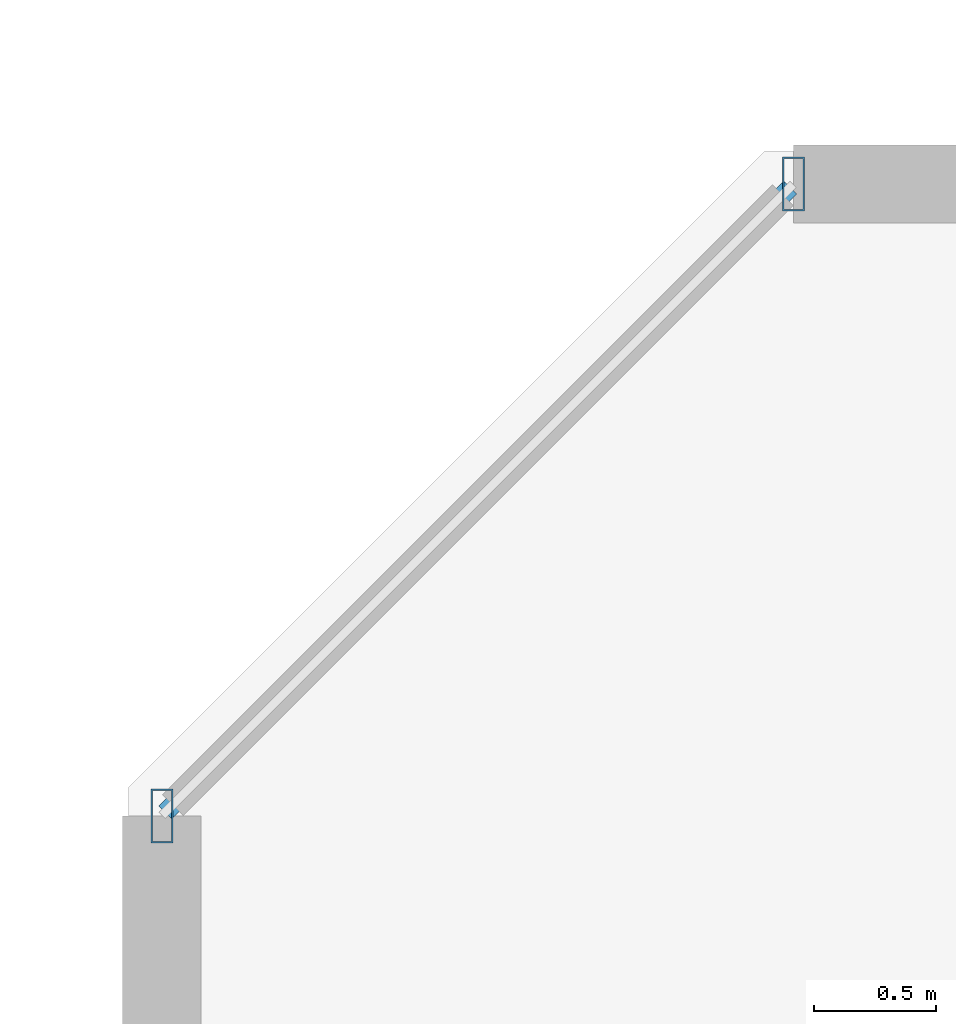
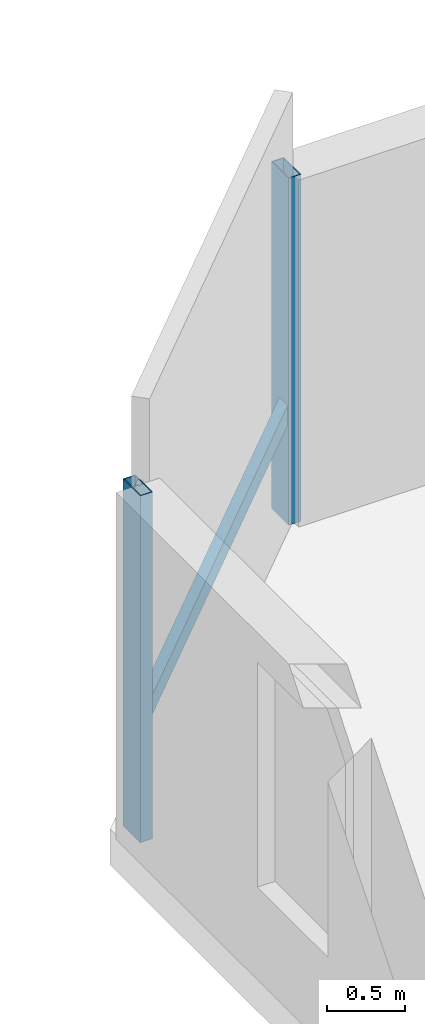
# One storey, part 15 of 33: 3 members, 1 element without a shape of its own.
"""IFC4 building model written with IfcOpenShell, lengths in metres."""

import ifcopenshell
import ifcopenshell.guid

model = None  # the IFC model being written
_history = None  # IfcOwnerHistory: only IFC2X3 demands one
_inside = {}  # id of a spatial element -> (the spatial element, [elements in it])
_under = {}  # id of a project, library or spatial element -> (it, [spatial elements below it])
_declared = {}  # id of a project -> (the project, [libraries it declares])
_typed = {}  # id of a type object -> (the type object, [elements of that type])
_made_of = {}  # id of a material, layer set ... -> (it, [elements and type objects made of it])


def new_model(schema):
    """Start an empty IFC model of exactly this schema.

    Asked for "IFC4X3", IfcOpenShell would pick the latest addendum, in which some entities
    have other attributes; the version numbers below select the first issue.
    IFC2X3 requires an IfcOwnerHistory on every rooted entity: one is made here for all.
    """
    global model, _history
    if schema == "IFC4X3":
        model = ifcopenshell.file(schema_version=(4, 3, 0, 0))
    else:
        model = ifcopenshell.file(schema=schema)
    _inside.clear()
    _under.clear()
    _declared.clear()
    _typed.clear()
    _made_of.clear()
    _history = None
    if model.schema == "IFC2X3":
        org = make("IfcOrganization", Name="unknown")
        user = make(
            "IfcPersonAndOrganization",
            ThePerson=make("IfcPerson", FamilyName="unknown"),
            TheOrganization=org,
        )
        app = make(
            "IfcApplication",
            ApplicationDeveloper=org,
            Version="unknown",
            ApplicationFullName="unknown",
            ApplicationIdentifier="unknown",
        )
        _history = make(
            "IfcOwnerHistory",
            OwningUser=user,
            OwningApplication=app,
            ChangeAction="ADDED",
            CreationDate=0,
        )
    return model


def make(cls, **values):
    """One entity of the class cls with the attributes given. An attribute that is None is left unset."""
    return model.create_entity(
        cls, **{name: value for name, value in values.items() if value is not None}
    )


def rooted(cls, **values):
    """An entity with a GlobalId (a new one), such as an element, a storey or a relation."""
    return make(cls, GlobalId=ifcopenshell.guid.new(), OwnerHistory=_history, **values)


def si_unit(unit_type, name, prefix=None):
    """IfcSIUnit, for example si_unit("LENGTHUNIT", "METRE", prefix="MILLI")."""
    return make("IfcSIUnit", UnitType=unit_type, Prefix=prefix, Name=name)


def assignment(units):
    """IfcUnitAssignment: the units of a project."""
    return None if units is None else make("IfcUnitAssignment", Units=units)


def point(xyz):
    """IfcCartesianPoint."""
    return None if xyz is None else make("IfcCartesianPoint", Coordinates=xyz)


def direction(xyz):
    """IfcDirection."""
    return None if xyz is None else make("IfcDirection", DirectionRatios=xyz)


def frame(location, z_axis=None, x_axis=None):
    """IfcAxis2Placement3D, a coordinate frame: its origin and axes. An axis left out is left unset."""
    return make(
        "IfcAxis2Placement3D",
        Location=point(location),
        Axis=direction(z_axis),
        RefDirection=direction(x_axis),
    )


def frame_2d(location, x_axis=None):
    """IfcAxis2Placement2D, a coordinate frame in the plane: its origin and x axis."""
    return make(
        "IfcAxis2Placement2D", Location=point(location), RefDirection=direction(x_axis)
    )


def origin():
    """The frame at (0, 0, 0) with its axes left unset."""
    return frame((0.0, 0.0, 0.0))


def origin_2d():
    """The frame at (0, 0) in the plane with its x axis left unset."""
    return frame_2d((0.0, 0.0))


def place(relative_to, where):
    """IfcLocalPlacement: puts the frame where relative to a parent placement (None: the world)."""
    return make(
        "IfcLocalPlacement", PlacementRelTo=relative_to, RelativePlacement=where
    )


def context(
    kind, dimensions, precision=None, world=None, true_north=None, identifier=None
):
    """IfcGeometricRepresentationContext, for example the 3D "Model" context."""
    return make(
        "IfcGeometricRepresentationContext",
        ContextIdentifier=identifier,
        ContextType=kind,
        CoordinateSpaceDimension=dimensions,
        Precision=precision,
        WorldCoordinateSystem=world,
        TrueNorth=true_north,
    )


def subcontext(parent, identifier, kind, view, scale=None):
    """IfcGeometricRepresentationSubContext, for example "Body" below "Model"."""
    return make(
        "IfcGeometricRepresentationSubContext",
        ContextIdentifier=identifier,
        ContextType=kind,
        ParentContext=parent,
        TargetScale=scale,
        TargetView=view,
    )


def project(units=None, contexts=None):
    """IfcProject with its units and contexts."""
    return rooted(
        "IfcProject",
        Name="project",
        RepresentationContexts=contexts,
        UnitsInContext=assignment(units),
    )


def spatial(cls, under=None, at=None, **own):
    """A site, building, storey or space (cls), placed at a placement, below another one or the project."""
    s = rooted(cls, ObjectPlacement=at, **own)
    if under is not None:
        _under.setdefault(under.id(), (under, []))[1].append(s)
    return s


def profile(cls, at=None, kind="AREA", **sizes):
    """A parametric profile (cls). Its sizes go by their IFC names, for example OverallWidth=200.0."""
    return make(cls, ProfileType=kind, Position=at, **sizes)


def hollow_rectangle(**sizes):
    """IfcRectangleHollowProfileDef."""
    return profile("IfcRectangleHollowProfileDef", **sizes)


def extrude(swept, where, along, depth):
    """IfcExtrudedAreaSolid: the profile swept, set in the frame where, extruded along a direction by depth."""
    return make(
        "IfcExtrudedAreaSolid",
        SweptArea=swept,
        Position=where,
        ExtrudedDirection=direction(along),
        Depth=depth,
    )


def shape(context_of_items, identifier, shape_type, items):
    """IfcShapeRepresentation: the items that make up one representation, for example the "Body"."""
    return make(
        "IfcShapeRepresentation",
        ContextOfItems=context_of_items,
        RepresentationIdentifier=identifier,
        RepresentationType=shape_type,
        Items=items,
    )


def material(Name=None, Category=None):
    """IfcMaterial."""
    return make("IfcMaterial", Name=Name, Category=Category)


def material_profile(
    of_material, cross_section, Name=None, Category=None, Priority=None
):
    """IfcMaterialProfile: a cross section and its material."""
    return make(
        "IfcMaterialProfile",
        Name=Name,
        Material=of_material,
        Profile=cross_section,
        Priority=Priority,
        Category=Category,
    )


def profile_set(profiles, Name=None, composite=None):
    """IfcMaterialProfileSet."""
    return make(
        "IfcMaterialProfileSet",
        Name=Name,
        MaterialProfiles=profiles,
        CompositeProfile=composite,
    )


def made_of(thing, what):
    """Note that an element or type object is made of a material, layer set ...; save() writes the relation."""
    if what is not None:
        _made_of.setdefault(what.id(), (what, []))[1].append(thing)
    return thing


def type_object(cls, material=None, **own):
    """A type object (cls), such as IfcWallType, which elements share."""
    return made_of(rooted(cls, **own), material)


def element(
    cls,
    number,
    at=None,
    inside=None,
    cuts=None,
    type_object=None,
    material=None,
    context=None,
    identifier="Body",
    shape_type=None,
    held_by="IfcProductDefinitionShape",
    body=None,
    shapes=None,
    **own,
):
    """One element of the class cls, such as IfcWall. Its Tag is "e" and its number.

    at: its placement. inside: the storey or other place that contains it. cuts: it is an
    opening in that element (IfcRelVoidsElement). A single representation is given by context,
    identifier, shape_type and body (its items); several are given by shapes. held_by: the class
    of the entity that holds the representations. save() writes the other relations.
    """
    e = rooted(cls, Tag="e%d" % number, ObjectPlacement=at, **own)
    if body is not None:
        shapes = [shape(context, identifier, shape_type, body)]
    if shapes is not None:
        e.Representation = make(held_by, Representations=shapes)
    if inside is not None:
        _inside.setdefault(inside.id(), (inside, []))[1].append(e)
    if cuts is not None:
        rooted(
            "IfcRelVoidsElement", RelatingBuildingElement=cuts, RelatedOpeningElement=e
        )
    if type_object is not None:
        _typed.setdefault(type_object.id(), (type_object, []))[1].append(e)
    return made_of(e, material)


def aggregate(whole, parts):
    """IfcRelAggregates: a whole, such as a stair, and the parts it consists of."""
    return rooted("IfcRelAggregates", RelatingObject=whole, RelatedObjects=parts)


def save(model, path):
    """Write the relations noted so far, then the file.

    IfcRelAggregates (storeys below a building ...), IfcRelContainedInSpatialStructure (elements
    in a storey), IfcRelDefinesByType, IfcRelAssociatesMaterial and IfcRelDeclares: one each for
    every whole, place, type object, material and project.
    """
    for whole, parts in _under.values():
        aggregate(whole, parts)
    for where, things in _inside.values():
        rooted(
            "IfcRelContainedInSpatialStructure",
            RelatedElements=things,
            RelatingStructure=where,
        )
    for kind, things in _typed.values():
        rooted("IfcRelDefinesByType", RelatedObjects=things, RelatingType=kind)
    for what, things in _made_of.values():
        rooted("IfcRelAssociatesMaterial", RelatedObjects=things, RelatingMaterial=what)
    for by, libraries in _declared.values():
        rooted("IfcRelDeclares", RelatingContext=by, RelatedDefinitions=libraries)
    model.write(path)


model = new_model("IFC4")

# Units and contexts
model_context = context("Model", 3, precision=1e-05, world=origin(), true_north=direction((0.0, 1.0)))
body_context = subcontext(model_context, "Body", "Model", "MODEL_VIEW")
ifc_project = project(units=[si_unit("LENGTHUNIT", "METRE"), si_unit("AREAUNIT", "SQUARE_METRE"), si_unit("VOLUMEUNIT", "CUBIC_METRE"), si_unit("PLANEANGLEUNIT", "RADIAN"), si_unit("MASSUNIT", "GRAM", prefix="KILO")], contexts=[model_context])

# Site, building, storey
site_placement = place(None, origin())
site = spatial("IfcSite", under=ifc_project, at=site_placement, CompositionType="ELEMENT")
building_placement = place(site_placement, origin())
building = spatial("IfcBuilding", under=site, at=building_placement, Name="Thornwick Lancets Civic Towers", CompositionType="ELEMENT")
storey_placement = place(building_placement, frame((0.0, 0.0, 101.699951171875)))
storey = spatial("IfcBuildingStorey", under=building, at=storey_placement, Name="L26", CompositionType="ELEMENT", Elevation=101.699951171875)

# Curtain wall, members
ifc_material_1 = material(Name="Low-zone chamfered-corner unitised glass curtain wall", Category="glass")
curtain_wall_type = type_object("IfcCurtainWallType", Name="CW_SYS_03", PredefinedType="NOTDEFINED", material=ifc_material_1)
curtain_wall_placement = place(storey_placement, origin())
curtain_wall = element("IfcCurtainWall", 1, at=curtain_wall_placement, inside=storey, type_object=curtain_wall_type, Name="L26 Curtain Wall CW-L26-B-E5", PredefinedType="NOTDEFINED")
ifc_material_2 = material(Name="Thermally broken bronze aluminium S355", Category="steel")
ifc_material_profile_1 = material_profile(ifc_material_2, hollow_rectangle(XDim=0.090087890625, YDim=0.219970703125, WallThickness=0.00634765625, at=origin_2d()), Name="RHS 220x90x6.3")
ifc_profile_set_1 = profile_set([ifc_material_profile_1], Name="Thermally broken bronze aluminium S355")
member_type_1 = type_object("IfcMemberType", Name="CW_MUL_220", PredefinedType="MULLION", material=ifc_profile_set_1)
member_1_placement = place(storey_placement, frame((67.11865234375, 44.964599609375, 0.0), z_axis=(0.0, 0.0, 1.0), x_axis=(1.0, 0.0, 0.0)))
member_1 = element("IfcMember", 2, at=member_1_placement, type_object=member_type_1, Name="CW-L26-B-E5 Mullion 0", PredefinedType="MULLION", context=body_context, shape_type="SweptSolid", body=[
    extrude(hollow_rectangle(XDim=0.090087890625, YDim=0.219970703125, WallThickness=0.00634765625, at=origin_2d()), origin(), (0.0, 0.0, 1.0), 2.699951171875),
])
member_2_placement = place(storey_placement, frame((64.535400390625, 42.38134765625, 0.0), z_axis=(0.0, 0.0, 1.0), x_axis=(1.0, 0.0, 0.0)))
member_2 = element("IfcMember", 3, at=member_2_placement, type_object=member_type_1, Name="CW-L26-B-E5 Mullion 1", PredefinedType="MULLION", context=body_context, shape_type="SweptSolid", body=[
    extrude(hollow_rectangle(XDim=0.090087890625, YDim=0.219970703125, WallThickness=0.00634765625, at=origin_2d()), origin(), (0.0, 0.0, 1.0), 2.699951171875),
])
ifc_material_profile_2 = material_profile(ifc_material_2, hollow_rectangle(XDim=0.074951171875, YDim=0.14990234375, WallThickness=0.0048828125, at=origin_2d()), Name="RHS 150x75x5")
ifc_profile_set_2 = profile_set([ifc_material_profile_2], Name="Thermally broken bronze aluminium S355")
member_type_2 = type_object("IfcMemberType", Name="CW_TRN_150", PredefinedType="USERDEFINED", material=ifc_profile_set_2)
member_3_placement = place(storey_placement, frame((67.1044921875, 44.95068359375, 0.85009765625), z_axis=(-0.707106781187, -0.707106781187, 0.0), x_axis=(0.707106781187, -0.707106781187, 0.0)))
member_3 = element("IfcMember", 4, at=member_3_placement, type_object=member_type_2, Name="CW-L26-B-E5 Transom 0", ObjectType="TRANSOM", PredefinedType="USERDEFINED", context=body_context, shape_type="SweptSolid", body=[
    extrude(hollow_rectangle(XDim=0.074951171875, YDim=0.14990234375, WallThickness=0.0048828125, at=origin_2d()), origin(), (0.0, 0.0, 1.0), 3.613525390625),
])
aggregate(curtain_wall, [member_1, member_2, member_3])

save(model, "model.ifc")
